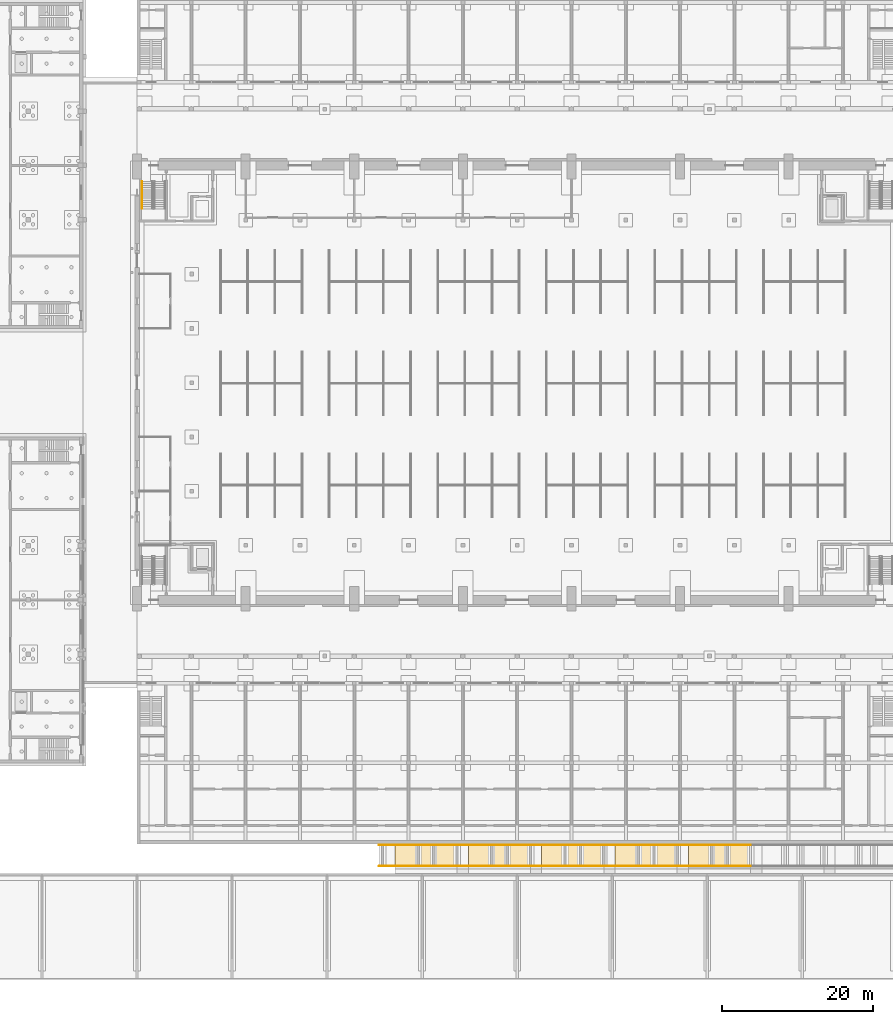
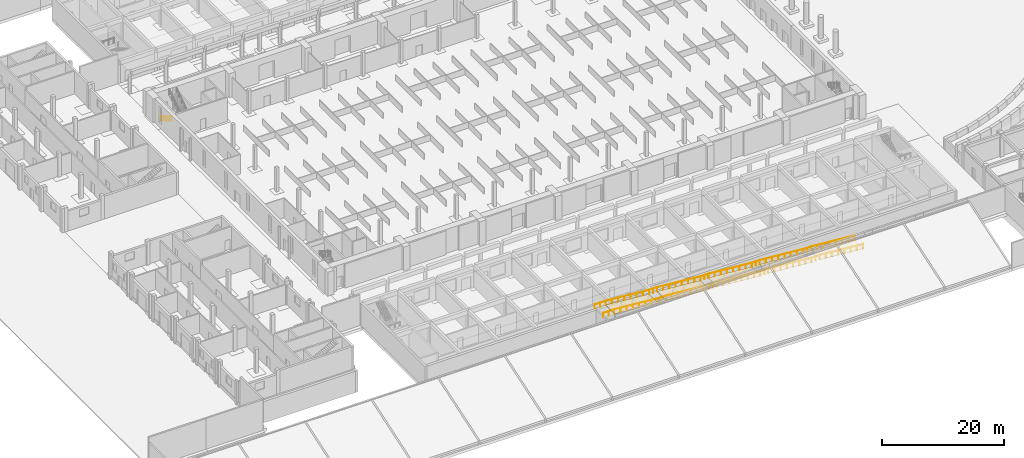
# One storey, part 63 of 73: 11 railings, 5 coverings.
"""IFC4 building model written with IfcOpenShell, lengths in metres."""

from ifc_helpers import new_model, si_unit, direction, frame, origin, origin_2d, place, context, subcontext, project, spatial, polyline, circle, outline, extrude, material, layer, layer_set, type_object, element, save


model = new_model("IFC4")

# Units and contexts
model_context = context("Model", 3, precision=1e-05, world=origin(), true_north=direction((0.0, 1.0)))
body_context = subcontext(model_context, "Body", "Model", "MODEL_VIEW")
ifc_project = project(units=[si_unit("LENGTHUNIT", "METRE"), si_unit("AREAUNIT", "SQUARE_METRE"), si_unit("VOLUMEUNIT", "CUBIC_METRE"), si_unit("PLANEANGLEUNIT", "RADIAN"), si_unit("MASSUNIT", "GRAM", prefix="KILO")], contexts=[model_context])

# Site, building, storey
site_placement = place(None, origin())
site = spatial("IfcSite", under=ifc_project, at=site_placement, CompositionType="ELEMENT")
building_placement = place(site_placement, origin())
building = spatial("IfcBuilding", under=site, at=building_placement, Name="Alderwick Market Hall", CompositionType="ELEMENT")
storey_placement = place(building_placement, origin())
storey = spatial("IfcBuildingStorey", under=building, at=storey_placement, Name="LG", CompositionType="ELEMENT", Elevation=0.0)

# Railings
ifc_material_1 = material(Name="Steel, painted", Category="steel")
railing_type_1 = type_object("IfcRailingType", Name="H Handrail 900", PredefinedType="HANDRAIL", material=ifc_material_1)
railing_placement = place(storey_placement, frame((51.050048828125, 105.89990234375, 0.17138671875)))
element("IfcRailing", 1, at=railing_placement, inside=storey, type_object=railing_type_1, Name="LG H-NW stair handrail 1", PredefinedType="HANDRAIL", context=body_context, shape_type="SweptSolid", body=[
    extrude(circle(Radius=0.02392578125, at=origin_2d()), frame((0.0, 0.0, 0.8759765625), z_axis=(0.0, -0.852850264322, 0.5221555579), x_axis=(1.0, 0.0, 0.0)), (0.0, 0.0, 1.0), 4.267822265625),
    extrude(circle(Radius=0.02099609375, at=origin_2d()), origin(), (0.0, 0.0, 1.0), 0.851806640625),
    extrude(circle(Radius=0.02099609375, at=origin_2d()), frame((0.0, -0.909912109375, 0.55712890625)), (0.0, 0.0, 1.0), 0.851806640625),
    extrude(circle(Radius=0.02099609375, at=origin_2d()), frame((0.0, -1.81982421875, 1.1142578125)), (0.0, 0.0, 1.0), 0.851806640625),
    extrude(circle(Radius=0.02099609375, at=origin_2d()), frame((0.0, -2.72998046875, 1.67138671875)), (0.0, 0.0, 1.0), 0.851806640625),
    extrude(circle(Radius=0.02099609375, at=origin_2d()), frame((0.0, -3.639892578125, 2.228515625)), (0.0, 0.0, 1.0), 0.851806640625),
])
ifc_material_2 = material(Name="Steel ASTM A500 Grade C", Category="steel")
railing_type_2 = type_object("IfcRailingType", Name="S Handrail 900", PredefinedType="HANDRAIL", material=ifc_material_2)
for number, where, name in (
    (2, (131.742919921875, 17.89990234375, 1.4013671875), "Ramp S3 handrail L"),
    (3, (131.742919921875, 15.10009765625, 1.4013671875), "Ramp S3 handrail R"),
):
    element("IfcRailing", number, at=place(storey_placement, frame(where)), inside=storey, type_object=railing_type_2, Name=name, PredefinedType="HANDRAIL", context=body_context, shape_type="SweptSolid", body=[
        extrude(circle(Radius=0.02490234375, at=origin_2d()), frame((0.0, 0.0, 0.875), z_axis=(-0.996545350429, 0.0, 0.083050373505), x_axis=(0.0, -1.0, 0.0)), (0.0, 0.0, 1.0), 8.257568359375),
        extrude(circle(Radius=0.02490234375, at=origin_2d()), frame((-8.22900390625, 0.0, 1.560546875), z_axis=(-1.0, 0.0, 0.0), x_axis=(0.0, -1.0, 0.0)), (0.0, 0.0, 1.0), 1.5),
        extrude(circle(Radius=0.02001953125, at=origin_2d()), origin(), (0.0, 0.0, 1.0), 0.849853515625),
        extrude(circle(Radius=0.02001953125, at=origin_2d()), frame((-1.175537109375, 0.0, 0.097900390625)), (0.0, 0.0, 1.0), 0.849853515625),
        extrude(circle(Radius=0.02001953125, at=origin_2d()), frame((-2.35107421875, 0.0, 0.196044921875)), (0.0, 0.0, 1.0), 0.849853515625),
        extrude(circle(Radius=0.02001953125, at=origin_2d()), frame((-3.526611328125, 0.0, 0.2939453125)), (0.0, 0.0, 1.0), 0.849853515625),
        extrude(circle(Radius=0.02001953125, at=origin_2d()), frame((-4.702392578125, 0.0, 0.391845703125)), (0.0, 0.0, 1.0), 0.849853515625),
        extrude(circle(Radius=0.02001953125, at=origin_2d()), frame((-5.8779296875, 0.0, 0.48974609375)), (0.0, 0.0, 1.0), 0.849853515625),
        extrude(circle(Radius=0.02001953125, at=origin_2d()), frame((-7.053466796875, 0.0, 0.587890625)), (0.0, 0.0, 1.0), 0.849853515625),
        extrude(circle(Radius=0.02001953125, at=origin_2d()), frame((-8.22900390625, 0.0, 0.685791015625)), (0.0, 0.0, 1.0), 0.849853515625),
        extrude(circle(Radius=0.02001953125, at=origin_2d()), frame((-8.97900390625, 0.0, 0.685791015625)), (0.0, 0.0, 1.0), 0.849853515625),
        extrude(circle(Radius=0.02001953125, at=origin_2d()), frame((-9.72900390625, 0.0, 0.685791015625)), (0.0, 0.0, 1.0), 0.849853515625),
    ])
for number, where, name in (
    (4, (122.013916015625, 17.89990234375, 2.087158203125), "Ramp S4 handrail L"),
    (5, (122.013916015625, 15.10009765625, 2.087158203125), "Ramp S4 handrail R"),
):
    element("IfcRailing", number, at=place(storey_placement, frame(where)), inside=storey, type_object=railing_type_2, Name=name, PredefinedType="HANDRAIL", context=body_context, shape_type="SweptSolid", body=[
        extrude(circle(Radius=0.02490234375, at=origin_2d()), frame((0.0, 0.0, 0.875), z_axis=(-0.996544534579, 0.0, 0.083060162531), x_axis=(0.0, -1.0, 0.0)), (0.0, 0.0, 1.0), 8.256591796875),
        extrude(circle(Radius=0.02490234375, at=origin_2d()), frame((-8.22802734375, 0.0, 1.560546875), z_axis=(-1.0, 0.0, 0.0), x_axis=(0.0, -1.0, 0.0)), (0.0, 0.0, 1.0), 1.5),
        extrude(circle(Radius=0.02001953125, at=origin_2d()), origin(), (0.0, 0.0, 1.0), 0.849853515625),
        extrude(circle(Radius=0.02001953125, at=origin_2d()), frame((-1.175537109375, 0.0, 0.097900390625)), (0.0, 0.0, 1.0), 0.849853515625),
        extrude(circle(Radius=0.02001953125, at=origin_2d()), frame((-2.350830078125, 0.0, 0.196044921875)), (0.0, 0.0, 1.0), 0.849853515625),
        extrude(circle(Radius=0.02001953125, at=origin_2d()), frame((-3.5263671875, 0.0, 0.2939453125)), (0.0, 0.0, 1.0), 0.849853515625),
        extrude(circle(Radius=0.02001953125, at=origin_2d()), frame((-4.70166015625, 0.0, 0.391845703125)), (0.0, 0.0, 1.0), 0.849853515625),
        extrude(circle(Radius=0.02001953125, at=origin_2d()), frame((-5.877197265625, 0.0, 0.48974609375)), (0.0, 0.0, 1.0), 0.849853515625),
        extrude(circle(Radius=0.02001953125, at=origin_2d()), frame((-7.052490234375, 0.0, 0.587890625)), (0.0, 0.0, 1.0), 0.849853515625),
        extrude(circle(Radius=0.02001953125, at=origin_2d()), frame((-8.22802734375, 0.0, 0.685791015625)), (0.0, 0.0, 1.0), 0.849853515625),
        extrude(circle(Radius=0.02001953125, at=origin_2d()), frame((-8.97802734375, 0.0, 0.685791015625)), (0.0, 0.0, 1.0), 0.849853515625),
        extrude(circle(Radius=0.02001953125, at=origin_2d()), frame((-9.72802734375, 0.0, 0.685791015625)), (0.0, 0.0, 1.0), 0.849853515625),
    ])
for number, where, name in (
    (6, (112.285888671875, 17.89990234375, 2.77294921875), "Ramp S5 handrail L"),
    (7, (112.285888671875, 15.10009765625, 2.77294921875), "Ramp S5 handrail R"),
):
    element("IfcRailing", number, at=place(storey_placement, frame(where)), inside=storey, type_object=railing_type_2, Name=name, PredefinedType="HANDRAIL", context=body_context, shape_type="SweptSolid", body=[
        extrude(circle(Radius=0.02490234375, at=origin_2d()), frame((0.0, 0.0, 0.875), z_axis=(-0.996547796971, 0.0, 0.083021011508), x_axis=(0.0, -1.0, 0.0)), (0.0, 0.0, 1.0), 8.257568359375),
        extrude(circle(Radius=0.02490234375, at=origin_2d()), frame((-8.22900390625, 0.0, 1.560546875), z_axis=(-1.0, 0.0, 0.0), x_axis=(0.0, -1.0, 0.0)), (0.0, 0.0, 1.0), 1.5),
        extrude(circle(Radius=0.02001953125, at=origin_2d()), origin(), (0.0, 0.0, 1.0), 0.849853515625),
        extrude(circle(Radius=0.02001953125, at=origin_2d()), frame((-1.175537109375, 0.0, 0.097900390625)), (0.0, 0.0, 1.0), 0.849853515625),
        extrude(circle(Radius=0.02001953125, at=origin_2d()), frame((-2.35107421875, 0.0, 0.19580078125)), (0.0, 0.0, 1.0), 0.849853515625),
        extrude(circle(Radius=0.02001953125, at=origin_2d()), frame((-3.526611328125, 0.0, 0.293701171875)), (0.0, 0.0, 1.0), 0.849853515625),
        extrude(circle(Radius=0.02001953125, at=origin_2d()), frame((-4.702392578125, 0.0, 0.391845703125)), (0.0, 0.0, 1.0), 0.849853515625),
        extrude(circle(Radius=0.02001953125, at=origin_2d()), frame((-5.8779296875, 0.0, 0.48974609375)), (0.0, 0.0, 1.0), 0.849853515625),
        extrude(circle(Radius=0.02001953125, at=origin_2d()), frame((-7.053466796875, 0.0, 0.587646484375)), (0.0, 0.0, 1.0), 0.849853515625),
        extrude(circle(Radius=0.02001953125, at=origin_2d()), frame((-8.22900390625, 0.0, 0.685546875)), (0.0, 0.0, 1.0), 0.849853515625),
        extrude(circle(Radius=0.02001953125, at=origin_2d()), frame((-8.97900390625, 0.0, 0.685546875)), (0.0, 0.0, 1.0), 0.849853515625),
        extrude(circle(Radius=0.02001953125, at=origin_2d()), frame((-9.72900390625, 0.0, 0.685546875)), (0.0, 0.0, 1.0), 0.849853515625),
    ])
for number, where, name in (
    (8, (102.556884765625, 17.89990234375, 3.45849609375), "Ramp S6 handrail L"),
    (9, (102.556884765625, 15.10009765625, 3.45849609375), "Ramp S6 handrail R"),
):
    element("IfcRailing", number, at=place(storey_placement, frame(where)), inside=storey, type_object=railing_type_2, Name=name, PredefinedType="HANDRAIL", context=body_context, shape_type="SweptSolid", body=[
        extrude(circle(Radius=0.02490234375, at=origin_2d()), frame((0.0, 0.0, 0.875), z_axis=(-0.996544330572, 0.0, 0.083062610147), x_axis=(0.0, -1.0, 0.0)), (0.0, 0.0, 1.0), 8.25634765625),
        extrude(circle(Radius=0.02490234375, at=origin_2d()), frame((-8.227783203125, 0.0, 1.560546875), z_axis=(-1.0, 0.0, 0.0), x_axis=(0.0, -1.0, 0.0)), (0.0, 0.0, 1.0), 1.5),
        extrude(circle(Radius=0.02001953125, at=origin_2d()), origin(), (0.0, 0.0, 1.0), 0.849853515625),
        extrude(circle(Radius=0.02001953125, at=origin_2d()), frame((-1.17529296875, 0.0, 0.097900390625)), (0.0, 0.0, 1.0), 0.849853515625),
        extrude(circle(Radius=0.02001953125, at=origin_2d()), frame((-2.350830078125, 0.0, 0.196044921875)), (0.0, 0.0, 1.0), 0.849853515625),
        extrude(circle(Radius=0.02001953125, at=origin_2d()), frame((-3.526123046875, 0.0, 0.2939453125)), (0.0, 0.0, 1.0), 0.849853515625),
        extrude(circle(Radius=0.02001953125, at=origin_2d()), frame((-4.70166015625, 0.0, 0.391845703125)), (0.0, 0.0, 1.0), 0.849853515625),
        extrude(circle(Radius=0.02001953125, at=origin_2d()), frame((-5.876953125, 0.0, 0.48974609375)), (0.0, 0.0, 1.0), 0.849853515625),
        extrude(circle(Radius=0.02001953125, at=origin_2d()), frame((-7.052490234375, 0.0, 0.587890625)), (0.0, 0.0, 1.0), 0.849853515625),
        extrude(circle(Radius=0.02001953125, at=origin_2d()), frame((-8.227783203125, 0.0, 0.685791015625)), (0.0, 0.0, 1.0), 0.849853515625),
        extrude(circle(Radius=0.02001953125, at=origin_2d()), frame((-8.977783203125, 0.0, 0.685791015625)), (0.0, 0.0, 1.0), 0.849853515625),
        extrude(circle(Radius=0.02001953125, at=origin_2d()), frame((-9.727783203125, 0.0, 0.685791015625)), (0.0, 0.0, 1.0), 0.849853515625),
    ])
for number, where, name in (
    (10, (92.8291015625, 17.89990234375, 4.144287109375), "Ramp S7 handrail L"),
    (11, (92.8291015625, 15.10009765625, 4.144287109375), "Ramp S7 handrail R"),
):
    element("IfcRailing", number, at=place(storey_placement, frame(where)), inside=storey, type_object=railing_type_2, Name=name, PredefinedType="HANDRAIL", context=body_context, shape_type="SweptSolid", body=[
        extrude(circle(Radius=0.02490234375, at=origin_2d()), frame((0.0, 0.0, 0.875), z_axis=(-0.996545350429, 0.0, 0.083050373505), x_axis=(0.0, -1.0, 0.0)), (0.0, 0.0, 1.0), 8.257568359375),
        extrude(circle(Radius=0.02490234375, at=origin_2d()), frame((-8.22900390625, 0.0, 1.560546875), z_axis=(-1.0, 0.0, 0.0), x_axis=(0.0, -1.0, 0.0)), (0.0, 0.0, 1.0), 2.10498046875),
        extrude(circle(Radius=0.02001953125, at=origin_2d()), origin(), (0.0, 0.0, 1.0), 0.849853515625),
        extrude(circle(Radius=0.02001953125, at=origin_2d()), frame((-1.175537109375, 0.0, 0.097900390625)), (0.0, 0.0, 1.0), 0.849853515625),
        extrude(circle(Radius=0.02001953125, at=origin_2d()), frame((-2.35107421875, 0.0, 0.196044921875)), (0.0, 0.0, 1.0), 0.849853515625),
        extrude(circle(Radius=0.02001953125, at=origin_2d()), frame((-3.526611328125, 0.0, 0.2939453125)), (0.0, 0.0, 1.0), 0.849853515625),
        extrude(circle(Radius=0.02001953125, at=origin_2d()), frame((-4.702392578125, 0.0, 0.391845703125)), (0.0, 0.0, 1.0), 0.849853515625),
        extrude(circle(Radius=0.02001953125, at=origin_2d()), frame((-5.8779296875, 0.0, 0.48974609375)), (0.0, 0.0, 1.0), 0.849853515625),
        extrude(circle(Radius=0.02001953125, at=origin_2d()), frame((-7.053466796875, 0.0, 0.587890625)), (0.0, 0.0, 1.0), 0.849853515625),
        extrude(circle(Radius=0.02001953125, at=origin_2d()), frame((-8.22900390625, 0.0, 0.685791015625)), (0.0, 0.0, 1.0), 0.849853515625),
        extrude(circle(Radius=0.02001953125, at=origin_2d()), frame((-9.281494140625, 0.0, 0.685791015625)), (0.0, 0.0, 1.0), 0.849853515625),
        extrude(circle(Radius=0.02001953125, at=origin_2d()), frame((-10.333984375, 0.0, 0.685791015625)), (0.0, 0.0, 1.0), 0.849853515625),
    ])

# Coverings
ifc_material_3 = material(Name="Non-slip surfacing on concrete", Category="concrete")
ifc_layer = layer(ifc_material_3, 0.030029296875)
ifc_layer_set = layer_set([ifc_layer], Name="Non-slip surfacing on concrete")
covering_type = type_object("IfcCoveringType", Name="S Ramp Surfacing 30", PredefinedType="USERDEFINED", material=ifc_layer_set)
covering_1_placement = place(storey_placement, frame((131.742919921875, 15.0, 1.401611328125), z_axis=(0.083021011508, 0.0, 0.996547796971), x_axis=(-0.996547796971, 0.0, 0.083021011508)))
element("IfcCovering", 12, at=covering_1_placement, inside=storey, type_object=covering_type, Name="Ramp surfacing S3", ObjectType="RAMP SURFACING", PredefinedType="USERDEFINED", context=body_context, shape_type="SweptSolid", body=[
    extrude(outline(polyline([(0.0, 0.0), (8.257510509039637, 0.0), (8.257510509039637, -3.0), (0.0, -3.0), (0.0, 0.0)])), origin(), (0.0, 0.0, -1.0), 0.030029296875),
])
covering_2_placement = place(storey_placement, frame((122.013916015625, 15.0, 2.087158203125), z_axis=(0.083060162531, 0.0, 0.996544534579), x_axis=(-0.996544534579, 0.0, 0.083060162531)))
element("IfcCovering", 13, at=covering_2_placement, inside=storey, type_object=covering_type, Name="Ramp surfacing S4", ObjectType="RAMP SURFACING", PredefinedType="USERDEFINED", context=body_context, shape_type="SweptSolid", body=[
    extrude(outline(polyline([(0.0, 0.0), (8.25655759300507, 0.0), (8.25655759300507, -3.0), (0.0, -3.0), (0.0, 0.0)])), origin(), (0.0, 0.0, -1.0), 0.030029296875),
])
covering_3_placement = place(storey_placement, frame((112.285888671875, 15.0, 2.77294921875), z_axis=(0.083050373505, 0.0, 0.996545350429), x_axis=(-0.996545350429, 0.0, 0.083050373505)))
element("IfcCovering", 14, at=covering_3_placement, inside=storey, type_object=covering_type, Name="Ramp surfacing S5", ObjectType="RAMP SURFACING", PredefinedType="USERDEFINED", context=body_context, shape_type="SweptSolid", body=[
    extrude(outline(polyline([(0.0, 0.0), (8.257530781425507, 0.0), (8.257530781425507, -3.0), (0.0, -3.0), (0.0, 0.0)])), origin(), (0.0, 0.0, -1.0), 0.030029296875),
])
covering_4_placement = place(storey_placement, frame((102.556884765625, 15.0, 3.458740234375), z_axis=(0.083033243885, 0.0, 0.996546777833), x_axis=(-0.996546777833, 0.0, 0.083033243885)))
element("IfcCovering", 15, at=covering_4_placement, inside=storey, type_object=covering_type, Name="Ramp surfacing S6", ObjectType="RAMP SURFACING", PredefinedType="USERDEFINED", context=body_context, shape_type="SweptSolid", body=[
    extrude(outline(polyline([(0.0, 0.0), (8.256294020651648, 0.0), (8.256294020651648, -3.0), (0.0, -3.0), (0.0, 0.0)])), origin(), (0.0, 0.0, -1.0), 0.030029296875),
])
covering_5_placement = place(storey_placement, frame((92.8291015625, 15.0, 4.144287109375), z_axis=(0.083050373505, 0.0, 0.996545350429), x_axis=(-0.996545350429, 0.0, 0.083050373505)))
element("IfcCovering", 16, at=covering_5_placement, inside=storey, type_object=covering_type, Name="Ramp surfacing S7", ObjectType="RAMP SURFACING", PredefinedType="USERDEFINED", context=body_context, shape_type="SweptSolid", body=[
    extrude(outline(polyline([(0.0, 0.0), (8.257530781425507, 0.0), (8.257530781425507, -3.0), (0.0, -3.0), (0.0, 0.0)])), origin(), (0.0, 0.0, -1.0), 0.030029296875),
])

save(model, "model.ifc")
